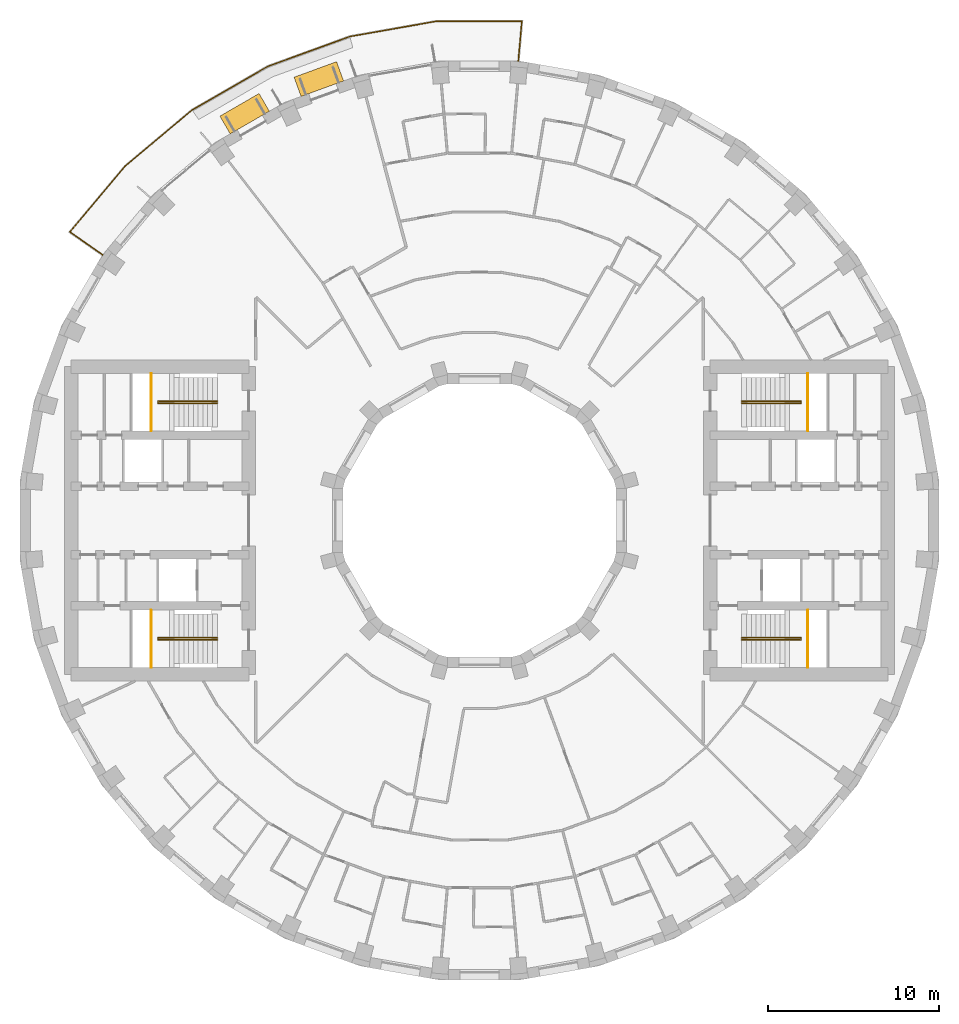
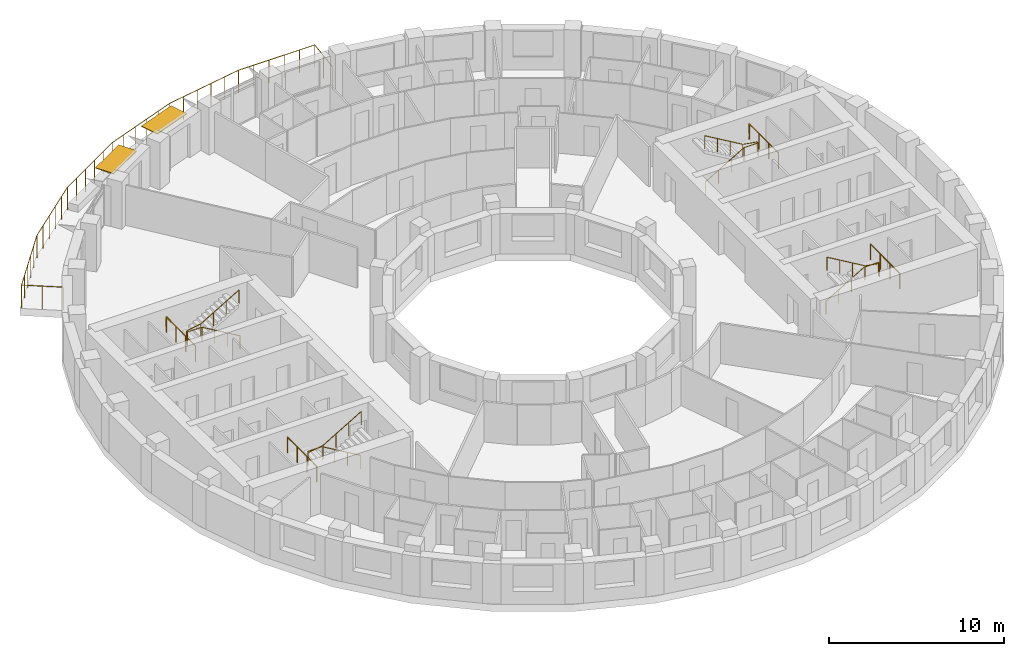
# One storey, part 14 of 14: 9 railings, 2 shading devices.
"""IFC4 building model written with IfcOpenShell, lengths in metres."""

from ifc_helpers import new_model, si_unit, direction, frame, origin, origin_2d, place, context, subcontext, project, spatial, rectangle, circle, extrude, material, layer, layer_set, type_object, element, save


model = new_model("IFC4")

# Units and contexts
model_context = context("Model", 3, precision=1e-05, world=origin(), true_north=direction((0.0, 1.0)))
body_context = subcontext(model_context, "Body", "Model", "MODEL_VIEW")
ifc_project = project(units=[si_unit("LENGTHUNIT", "METRE"), si_unit("AREAUNIT", "SQUARE_METRE"), si_unit("VOLUMEUNIT", "CUBIC_METRE"), si_unit("PLANEANGLEUNIT", "RADIAN"), si_unit("MASSUNIT", "GRAM", prefix="KILO")], contexts=[model_context])

# Site, building, storey
site_placement = place(None, origin())
site = spatial("IfcSite", under=ifc_project, at=site_placement, CompositionType="ELEMENT")
building_placement = place(site_placement, origin())
building = spatial("IfcBuilding", under=site, at=building_placement, Name="Saqina Gate Tower", CompositionType="ELEMENT")
storey_placement = place(building_placement, frame((0.0, 0.0, 91.89990234375)))
storey = spatial("IfcBuildingStorey", under=building, at=storey_placement, Name="L25", CompositionType="ELEMENT", Elevation=91.89990234375)

# Shading devices
ifc_material_1 = material(Name="Aluminium and fabric awning", Category="aluminium")
ifc_layer = layer(ifc_material_1, 0.050048828125)
ifc_layer_set = layer_set([ifc_layer], Name="AW-TERRACE")
shading_device_type = type_object("IfcShadingDeviceType", Name="AW-TERRACE", PredefinedType="AWNING", material=ifc_layer_set)
for number, where, z_axis, x_axis, name in (
    (1, (-9.404541015625, 25.839111328125, 2.52490234375), (0.0, 0.0, 1.0), (-0.939692620786, -0.342020143326, 0.0), "Terrace awning L25 facet 11"),
    (2, (-13.74853515625, 23.813232421875, 2.52490234375), (0.0, 0.0, 1.0), (-0.866025403784, -0.5, 0.0), "Terrace awning L25 facet 12"),
):
    element("IfcShadingDevice", number, at=place(storey_placement, frame(where, z_axis=z_axis, x_axis=x_axis)), inside=storey, type_object=shading_device_type, Name=name, PredefinedType="AWNING", context=body_context, shape_type="SweptSolid", body=[
        extrude(rectangle(XDim=2.647705078125, YDim=1.199951171875, at=origin_2d()), origin(), (0.0, 0.0, 1.0), 0.050048828125),
    ])

# Railings
ifc_material_2 = material(Name="Stainless steel", Category="steel")
railing_type_1 = type_object("IfcRailingType", Name="RL-TERRACE", PredefinedType="GUARDRAIL", material=ifc_material_2)
railing_1_placement = place(storey_placement, frame((2.268310546875, 26.844482421875, 0.0)))
element("IfcRailing", 3, at=railing_1_placement, inside=storey, type_object=railing_type_1, Name="Terrace guard L25", PredefinedType="GUARDRAIL", context=body_context, shape_type="SweptSolid", body=[
    extrude(circle(Radius=0.02392578125, at=origin_2d()), frame((0.0, 0.0, 1.576171875), z_axis=(0.087180896688, 0.996192497087, 0.0), x_axis=(-0.996192497087, 0.087180896688, 0.0)), (0.0, 0.0, 1.0), 2.388671875),
    extrude(circle(Radius=0.02392578125, at=origin_2d()), frame((0.208251953125, 2.379638671875, 1.576171875), z_axis=(-0.999999077512, -0.001358298931, 0.0), x_axis=(0.001358298931, -0.999999077512, 0.0)), (0.0, 0.0, 1.0), 5.03271484375),
    extrude(circle(Radius=0.02392578125, at=origin_2d()), frame((-4.824462890625, 2.372802734375, 1.576171875), z_axis=(-0.984809508757, -0.173638220049, 0.0), x_axis=(0.173638220049, -0.984809508757, 0.0)), (0.0, 0.0, 1.0), 5.1123046875),
    extrude(circle(Radius=0.02392578125, at=origin_2d()), frame((-9.859130859375, 1.485107421875, 1.576171875), z_axis=(-0.939695786518, -0.342011445423, 0.0), x_axis=(0.342011445423, -0.939695786518, 0.0)), (0.0, 0.0, 1.0), 5.112548828125),
    extrude(circle(Radius=0.02392578125, at=origin_2d()), frame((-14.663330078125, -0.263427734375, 1.576171875), z_axis=(-0.866018575041, -0.500011827544, 0.0), x_axis=(0.500011827544, -0.866018575041, 0.0)), (0.0, 0.0, 1.0), 5.1123046875),
    extrude(circle(Radius=0.02392578125, at=origin_2d()), frame((-19.090576171875, -2.819580078125, 1.576171875), z_axis=(-0.766020862158, -0.642815711334, 0.0), x_axis=(0.642815711334, -0.766020862158, 0.0)), (0.0, 0.0, 1.0), 5.112548828125),
    extrude(circle(Radius=0.02392578125, at=origin_2d()), frame((-23.0068359375, -6.10595703125, 1.576171875), z_axis=(-0.643889225098, -0.765118726606, 0.0), x_axis=(0.765118726606, -0.643889225098, 0.0)), (0.0, 0.0, 1.0), 5.03271484375),
    extrude(circle(Radius=0.02392578125, at=origin_2d()), frame((-26.247314453125, -9.95654296875, 1.576171875), z_axis=(0.819111872113, -0.573633803889, 0.0), x_axis=(0.573633803889, 0.819111872113, 0.0)), (0.0, 0.0, 1.0), 2.388916015625),
    extrude(circle(Radius=0.02099609375, at=origin_2d()), origin(), (0.0, 0.0, 1.0), 1.552001953125),
    extrude(circle(Radius=0.02099609375, at=origin_2d()), frame((0.10400390625, 1.18994140625, 0.0)), (0.0, 0.0, 1.0), 1.552001953125),
    extrude(circle(Radius=0.02099609375, at=origin_2d()), frame((0.208251953125, 2.379638671875, 0.0)), (0.0, 0.0, 1.0), 1.552001953125),
    extrude(circle(Radius=0.02099609375, at=origin_2d()), frame((-0.79833984375, 2.378173828125, 0.0)), (0.0, 0.0, 1.0), 1.552001953125),
    extrude(circle(Radius=0.02099609375, at=origin_2d()), frame((-1.804931640625, 2.376953125, 0.0)), (0.0, 0.0, 1.0), 1.552001953125),
    extrude(circle(Radius=0.02099609375, at=origin_2d()), frame((-2.811279296875, 2.37548828125, 0.0)), (0.0, 0.0, 1.0), 1.552001953125),
    extrude(circle(Radius=0.02099609375, at=origin_2d()), frame((-3.81787109375, 2.374267578125, 0.0)), (0.0, 0.0, 1.0), 1.552001953125),
    extrude(circle(Radius=0.02099609375, at=origin_2d()), frame((-4.824462890625, 2.372802734375, 0.0)), (0.0, 0.0, 1.0), 1.552001953125),
    extrude(circle(Radius=0.02099609375, at=origin_2d()), frame((-5.831298828125, 2.1953125, 0.0)), (0.0, 0.0, 1.0), 1.552001953125),
    extrude(circle(Radius=0.02099609375, at=origin_2d()), frame((-6.83837890625, 2.017822265625, 0.0)), (0.0, 0.0, 1.0), 1.552001953125),
    extrude(circle(Radius=0.02099609375, at=origin_2d()), frame((-7.84521484375, 1.840087890625, 0.0)), (0.0, 0.0, 1.0), 1.552001953125),
    extrude(circle(Radius=0.02099609375, at=origin_2d()), frame((-8.852294921875, 1.66259765625, 0.0)), (0.0, 0.0, 1.0), 1.552001953125),
    extrude(circle(Radius=0.02099609375, at=origin_2d()), frame((-9.859130859375, 1.485107421875, 0.0)), (0.0, 0.0, 1.0), 1.552001953125),
    extrude(circle(Radius=0.02099609375, at=origin_2d()), frame((-10.820068359375, 1.135498046875, 0.0)), (0.0, 0.0, 1.0), 1.552001953125),
    extrude(circle(Radius=0.02099609375, at=origin_2d()), frame((-11.78076171875, 0.78564453125, 0.0)), (0.0, 0.0, 1.0), 1.552001953125),
    extrude(circle(Radius=0.02099609375, at=origin_2d()), frame((-12.74169921875, 0.43603515625, 0.0)), (0.0, 0.0, 1.0), 1.552001953125),
    extrude(circle(Radius=0.02099609375, at=origin_2d()), frame((-13.702392578125, 0.086181640625, 0.0)), (0.0, 0.0, 1.0), 1.552001953125),
    extrude(circle(Radius=0.02099609375, at=origin_2d()), frame((-14.663330078125, -0.263427734375, 0.0)), (0.0, 0.0, 1.0), 1.552001953125),
    extrude(circle(Radius=0.02099609375, at=origin_2d()), frame((-15.548828125, -0.774658203125, 0.0)), (0.0, 0.0, 1.0), 1.552001953125),
    extrude(circle(Radius=0.02099609375, at=origin_2d()), frame((-16.434326171875, -1.285888671875, 0.0)), (0.0, 0.0, 1.0), 1.552001953125),
    extrude(circle(Radius=0.02099609375, at=origin_2d()), frame((-17.319580078125, -1.797119140625, 0.0)), (0.0, 0.0, 1.0), 1.552001953125),
    extrude(circle(Radius=0.02099609375, at=origin_2d()), frame((-18.205078125, -2.308349609375, 0.0)), (0.0, 0.0, 1.0), 1.552001953125),
    extrude(circle(Radius=0.02099609375, at=origin_2d()), frame((-19.090576171875, -2.819580078125, 0.0)), (0.0, 0.0, 1.0), 1.552001953125),
    extrude(circle(Radius=0.02099609375, at=origin_2d()), frame((-19.873779296875, -3.476806640625, 0.0)), (0.0, 0.0, 1.0), 1.552001953125),
    extrude(circle(Radius=0.02099609375, at=origin_2d()), frame((-20.656982421875, -4.134033203125, 0.0)), (0.0, 0.0, 1.0), 1.552001953125),
    extrude(circle(Radius=0.02099609375, at=origin_2d()), frame((-21.4404296875, -4.79150390625, 0.0)), (0.0, 0.0, 1.0), 1.552001953125),
    extrude(circle(Radius=0.02099609375, at=origin_2d()), frame((-22.2236328125, -5.44873046875, 0.0)), (0.0, 0.0, 1.0), 1.552001953125),
    extrude(circle(Radius=0.02099609375, at=origin_2d()), frame((-23.0068359375, -6.10595703125, 0.0)), (0.0, 0.0, 1.0), 1.552001953125),
    extrude(circle(Radius=0.02099609375, at=origin_2d()), frame((-23.655029296875, -6.8759765625, 0.0)), (0.0, 0.0, 1.0), 1.552001953125),
    extrude(circle(Radius=0.02099609375, at=origin_2d()), frame((-24.302978515625, -7.646240234375, 0.0)), (0.0, 0.0, 1.0), 1.552001953125),
    extrude(circle(Radius=0.02099609375, at=origin_2d()), frame((-24.951171875, -8.416259765625, 0.0)), (0.0, 0.0, 1.0), 1.552001953125),
    extrude(circle(Radius=0.02099609375, at=origin_2d()), frame((-25.59912109375, -9.1865234375, 0.0)), (0.0, 0.0, 1.0), 1.552001953125),
    extrude(circle(Radius=0.02099609375, at=origin_2d()), frame((-26.247314453125, -9.95654296875, 0.0)), (0.0, 0.0, 1.0), 1.552001953125),
    extrude(circle(Radius=0.02099609375, at=origin_2d()), frame((-25.26904296875, -10.6416015625, 0.0)), (0.0, 0.0, 1.0), 1.552001953125),
    extrude(circle(Radius=0.02099609375, at=origin_2d()), frame((-24.29052734375, -11.326904296875, 0.0)), (0.0, 0.0, 1.0), 1.552001953125),
])
ifc_material_3 = material(Name="Stainless steel", Category="steel")
railing_type_2 = type_object("IfcRailingType", Name="STAIR GUARD", PredefinedType="GUARDRAIL", material=ifc_material_3)
railing_2_placement = place(storey_placement, frame((19.219970703125, 5.25, 1.650146484375)))
element("IfcRailing", 4, at=railing_2_placement, inside=storey, type_object=railing_type_2, Name="STAIR GUARD", PredefinedType="GUARDRAIL", context=body_context, shape_type="SweptSolid", body=[
    extrude(circle(Radius=0.02392578125, at=origin_2d()), frame((0.0, 0.0, 1.076171875), z_axis=(0.0, 1.0, 0.0), x_axis=(-1.0, 0.0, 0.0)), (0.0, 0.0, 1.0), 3.35009765625),
    extrude(circle(Radius=0.02099609375, at=origin_2d()), origin(), (0.0, 0.0, 1.0), 1.052001953125),
    extrude(circle(Radius=0.02099609375, at=origin_2d()), frame((0.0, 1.11669921875, 0.0)), (0.0, 0.0, 1.0), 1.052001953125),
    extrude(circle(Radius=0.02099609375, at=origin_2d()), frame((0.0, 2.2333984375, 0.0)), (0.0, 0.0, 1.0), 1.052001953125),
    extrude(circle(Radius=0.02099609375, at=origin_2d()), frame((0.0, 3.35009765625, 0.0)), (0.0, 0.0, 1.0), 1.052001953125),
])
railing_3_placement = place(storey_placement, frame((19.219970703125, -5.25, 1.650146484375)))
element("IfcRailing", 5, at=railing_3_placement, inside=storey, type_object=railing_type_2, Name="STAIR GUARD", PredefinedType="GUARDRAIL", context=body_context, shape_type="SweptSolid", body=[
    extrude(circle(Radius=0.02392578125, at=origin_2d()), frame((0.0, 0.0, 1.076171875), z_axis=(0.0, -1.0, 0.0), x_axis=(1.0, 0.0, 0.0)), (0.0, 0.0, 1.0), 3.35009765625),
    extrude(circle(Radius=0.02099609375, at=origin_2d()), origin(), (0.0, 0.0, 1.0), 1.052001953125),
    extrude(circle(Radius=0.02099609375, at=origin_2d()), frame((0.0, -1.11669921875, 0.0)), (0.0, 0.0, 1.0), 1.052001953125),
    extrude(circle(Radius=0.02099609375, at=origin_2d()), frame((0.0, -2.2333984375, 0.0)), (0.0, 0.0, 1.0), 1.052001953125),
    extrude(circle(Radius=0.02099609375, at=origin_2d()), frame((0.0, -3.35009765625, 0.0)), (0.0, 0.0, 1.0), 1.052001953125),
])
railing_4_placement = place(storey_placement, frame((-19.219970703125, 5.25, 1.650146484375)))
element("IfcRailing", 6, at=railing_4_placement, inside=storey, type_object=railing_type_2, Name="STAIR GUARD", PredefinedType="GUARDRAIL", context=body_context, shape_type="SweptSolid", body=[
    extrude(circle(Radius=0.02392578125, at=origin_2d()), frame((0.0, 0.0, 1.076171875), z_axis=(0.0, 1.0, 0.0), x_axis=(-1.0, 0.0, 0.0)), (0.0, 0.0, 1.0), 3.35009765625),
    extrude(circle(Radius=0.02099609375, at=origin_2d()), origin(), (0.0, 0.0, 1.0), 1.052001953125),
    extrude(circle(Radius=0.02099609375, at=origin_2d()), frame((0.0, 1.11669921875, 0.0)), (0.0, 0.0, 1.0), 1.052001953125),
    extrude(circle(Radius=0.02099609375, at=origin_2d()), frame((0.0, 2.2333984375, 0.0)), (0.0, 0.0, 1.0), 1.052001953125),
    extrude(circle(Radius=0.02099609375, at=origin_2d()), frame((0.0, 3.35009765625, 0.0)), (0.0, 0.0, 1.0), 1.052001953125),
])
railing_5_placement = place(storey_placement, frame((-19.219970703125, -5.25, 1.650146484375)))
element("IfcRailing", 7, at=railing_5_placement, inside=storey, type_object=railing_type_2, Name="STAIR GUARD", PredefinedType="GUARDRAIL", context=body_context, shape_type="SweptSolid", body=[
    extrude(circle(Radius=0.02392578125, at=origin_2d()), frame((0.0, 0.0, 1.076171875), z_axis=(0.0, -1.0, 0.0), x_axis=(1.0, 0.0, 0.0)), (0.0, 0.0, 1.0), 3.35009765625),
    extrude(circle(Radius=0.02099609375, at=origin_2d()), origin(), (0.0, 0.0, 1.0), 1.052001953125),
    extrude(circle(Radius=0.02099609375, at=origin_2d()), frame((0.0, -1.11669921875, 0.0)), (0.0, 0.0, 1.0), 1.052001953125),
    extrude(circle(Radius=0.02099609375, at=origin_2d()), frame((0.0, -2.2333984375, 0.0)), (0.0, 0.0, 1.0), 1.052001953125),
    extrude(circle(Radius=0.02099609375, at=origin_2d()), frame((0.0, -3.35009765625, 0.0)), (0.0, 0.0, 1.0), 1.052001953125),
])
ifc_material_4 = material(Name="Stainless steel", Category="steel")
railing_type_3 = type_object("IfcRailingType", Name="STAIR HANDRAIL", PredefinedType="HANDRAIL", material=ifc_material_4)
railing_6_placement = place(storey_placement, frame((15.35009765625, 6.86669921875, 0.1650390625)))
element("IfcRailing", 8, at=railing_6_placement, inside=storey, type_object=railing_type_3, Name="EXIT STAIR 1 HANDRAIL", PredefinedType="HANDRAIL", context=body_context, shape_type="SweptSolid", body=[
    extrude(circle(Radius=0.02392578125, at=origin_2d()), frame((0.0, 0.0, 0.92578125), z_axis=(0.86152411907, 0.0, 0.507716645641), x_axis=(0.0, 1.0, 0.0)), (0.0, 0.0, 1.0), 2.925048828125),
    extrude(circle(Radius=0.02392578125, at=origin_2d()), frame((2.52001953125, 0.0, 2.4111328125), z_axis=(1.0, 0.0, 0.0), x_axis=(0.0, 1.0, 0.0)), (0.0, 0.0, 1.0), 0.949951171875),
    extrude(circle(Radius=0.02392578125, at=origin_2d()), frame((3.469970703125, 0.0, 2.4111328125), z_axis=(0.0, 1.0, 0.0), x_axis=(-1.0, 0.0, 0.0)), (0.0, 0.0, 1.0), 0.11669921875),
    extrude(circle(Radius=0.02392578125, at=origin_2d()), frame((3.469970703125, 0.11669921875, 2.4111328125), z_axis=(-0.985241474778, 0.0, 0.171170197109), x_axis=(0.0, -1.0, 0.0)), (0.0, 0.0, 1.0), 0.964111328125),
    extrude(circle(Radius=0.02392578125, at=origin_2d()), frame((2.52001953125, 0.11669921875, 2.576171875), z_axis=(-0.861560626758, 0.0, 0.507654692109), x_axis=(0.0, -1.0, 0.0)), (0.0, 0.0, 1.0), 2.925048828125),
    extrude(circle(Radius=0.02099609375, at=origin_2d()), origin(), (0.0, 0.0, 1.0), 0.90185546875),
    extrude(circle(Radius=0.02099609375, at=origin_2d()), frame((0.840087890625, 0.0, 0.4951171875)), (0.0, 0.0, 1.0), 0.90185546875),
    extrude(circle(Radius=0.02099609375, at=origin_2d()), frame((1.679931640625, 0.0, 0.989990234375)), (0.0, 0.0, 1.0), 0.90185546875),
    extrude(circle(Radius=0.02099609375, at=origin_2d()), frame((2.52001953125, 0.0, 1.485107421875)), (0.0, 0.0, 1.0), 0.90185546875),
    extrude(circle(Radius=0.02099609375, at=origin_2d()), frame((3.469970703125, 0.0, 1.485107421875)), (0.0, 0.0, 1.0), 0.90185546875),
    extrude(circle(Radius=0.02099609375, at=origin_2d()), frame((3.469970703125, 0.11669921875, 1.485107421875)), (0.0, 0.0, 1.0), 0.90185546875),
    extrude(circle(Radius=0.02099609375, at=origin_2d()), frame((2.52001953125, 0.11669921875, 1.650146484375)), (0.0, 0.0, 1.0), 0.90185546875),
    extrude(circle(Radius=0.02099609375, at=origin_2d()), frame((1.679931640625, 0.11669921875, 2.14501953125)), (0.0, 0.0, 1.0), 0.90185546875),
    extrude(circle(Radius=0.02099609375, at=origin_2d()), frame((0.840087890625, 0.11669921875, 2.64013671875)), (0.0, 0.0, 1.0), 0.90185546875),
    extrude(circle(Radius=0.02099609375, at=origin_2d()), frame((0.0, 0.11669921875, 3.135009765625)), (0.0, 0.0, 1.0), 0.90185546875),
])
railing_7_placement = place(storey_placement, frame((15.35009765625, -6.86669921875, 0.1650390625)))
element("IfcRailing", 9, at=railing_7_placement, inside=storey, type_object=railing_type_3, Name="EXIT STAIR 2 HANDRAIL", PredefinedType="HANDRAIL", context=body_context, shape_type="SweptSolid", body=[
    extrude(circle(Radius=0.02392578125, at=origin_2d()), frame((0.0, 0.0, 0.92578125), z_axis=(0.86152411907, 0.0, 0.507716645641), x_axis=(0.0, 1.0, 0.0)), (0.0, 0.0, 1.0), 2.925048828125),
    extrude(circle(Radius=0.02392578125, at=origin_2d()), frame((2.52001953125, 0.0, 2.4111328125), z_axis=(1.0, 0.0, 0.0), x_axis=(0.0, 1.0, 0.0)), (0.0, 0.0, 1.0), 0.949951171875),
    extrude(circle(Radius=0.02392578125, at=origin_2d()), frame((3.469970703125, 0.0, 2.4111328125), z_axis=(0.0, -1.0, 0.0), x_axis=(1.0, 0.0, 0.0)), (0.0, 0.0, 1.0), 0.11669921875),
    extrude(circle(Radius=0.02392578125, at=origin_2d()), frame((3.469970703125, -0.11669921875, 2.4111328125), z_axis=(-0.985241474778, 0.0, 0.171170197109), x_axis=(0.0, -1.0, 0.0)), (0.0, 0.0, 1.0), 0.964111328125),
    extrude(circle(Radius=0.02392578125, at=origin_2d()), frame((2.52001953125, -0.11669921875, 2.576171875), z_axis=(-0.861560626758, 0.0, 0.507654692109), x_axis=(0.0, -1.0, 0.0)), (0.0, 0.0, 1.0), 2.925048828125),
    extrude(circle(Radius=0.02099609375, at=origin_2d()), origin(), (0.0, 0.0, 1.0), 0.90185546875),
    extrude(circle(Radius=0.02099609375, at=origin_2d()), frame((0.840087890625, 0.0, 0.4951171875)), (0.0, 0.0, 1.0), 0.90185546875),
    extrude(circle(Radius=0.02099609375, at=origin_2d()), frame((1.679931640625, 0.0, 0.989990234375)), (0.0, 0.0, 1.0), 0.90185546875),
    extrude(circle(Radius=0.02099609375, at=origin_2d()), frame((2.52001953125, 0.0, 1.485107421875)), (0.0, 0.0, 1.0), 0.90185546875),
    extrude(circle(Radius=0.02099609375, at=origin_2d()), frame((3.469970703125, 0.0, 1.485107421875)), (0.0, 0.0, 1.0), 0.90185546875),
    extrude(circle(Radius=0.02099609375, at=origin_2d()), frame((3.469970703125, -0.11669921875, 1.485107421875)), (0.0, 0.0, 1.0), 0.90185546875),
    extrude(circle(Radius=0.02099609375, at=origin_2d()), frame((2.52001953125, -0.11669921875, 1.650146484375)), (0.0, 0.0, 1.0), 0.90185546875),
    extrude(circle(Radius=0.02099609375, at=origin_2d()), frame((1.679931640625, -0.11669921875, 2.14501953125)), (0.0, 0.0, 1.0), 0.90185546875),
    extrude(circle(Radius=0.02099609375, at=origin_2d()), frame((0.840087890625, -0.11669921875, 2.64013671875)), (0.0, 0.0, 1.0), 0.90185546875),
    extrude(circle(Radius=0.02099609375, at=origin_2d()), frame((0.0, -0.11669921875, 3.135009765625)), (0.0, 0.0, 1.0), 0.90185546875),
])
railing_8_placement = place(storey_placement, frame((-15.35009765625, 6.86669921875, 0.1650390625)))
element("IfcRailing", 10, at=railing_8_placement, inside=storey, type_object=railing_type_3, Name="EXIT STAIR 3 HANDRAIL", PredefinedType="HANDRAIL", context=body_context, shape_type="SweptSolid", body=[
    extrude(circle(Radius=0.02392578125, at=origin_2d()), frame((0.0, 0.0, 0.92578125), z_axis=(-0.86152411907, 0.0, 0.507716645641), x_axis=(0.0, -1.0, 0.0)), (0.0, 0.0, 1.0), 2.925048828125),
    extrude(circle(Radius=0.02392578125, at=origin_2d()), frame((-2.52001953125, 0.0, 2.4111328125), z_axis=(-1.0, 0.0, 0.0), x_axis=(0.0, -1.0, 0.0)), (0.0, 0.0, 1.0), 0.949951171875),
    extrude(circle(Radius=0.02392578125, at=origin_2d()), frame((-3.469970703125, 0.0, 2.4111328125), z_axis=(0.0, 1.0, 0.0), x_axis=(-1.0, 0.0, 0.0)), (0.0, 0.0, 1.0), 0.11669921875),
    extrude(circle(Radius=0.02392578125, at=origin_2d()), frame((-3.469970703125, 0.11669921875, 2.4111328125), z_axis=(0.985241474778, 0.0, 0.171170197109), x_axis=(0.0, 1.0, 0.0)), (0.0, 0.0, 1.0), 0.964111328125),
    extrude(circle(Radius=0.02392578125, at=origin_2d()), frame((-2.52001953125, 0.11669921875, 2.576171875), z_axis=(0.861560626758, 0.0, 0.507654692109), x_axis=(0.0, 1.0, 0.0)), (0.0, 0.0, 1.0), 2.925048828125),
    extrude(circle(Radius=0.02099609375, at=origin_2d()), origin(), (0.0, 0.0, 1.0), 0.90185546875),
    extrude(circle(Radius=0.02099609375, at=origin_2d()), frame((-0.840087890625, 0.0, 0.4951171875)), (0.0, 0.0, 1.0), 0.90185546875),
    extrude(circle(Radius=0.02099609375, at=origin_2d()), frame((-1.679931640625, 0.0, 0.989990234375)), (0.0, 0.0, 1.0), 0.90185546875),
    extrude(circle(Radius=0.02099609375, at=origin_2d()), frame((-2.52001953125, 0.0, 1.485107421875)), (0.0, 0.0, 1.0), 0.90185546875),
    extrude(circle(Radius=0.02099609375, at=origin_2d()), frame((-3.469970703125, 0.0, 1.485107421875)), (0.0, 0.0, 1.0), 0.90185546875),
    extrude(circle(Radius=0.02099609375, at=origin_2d()), frame((-3.469970703125, 0.11669921875, 1.485107421875)), (0.0, 0.0, 1.0), 0.90185546875),
    extrude(circle(Radius=0.02099609375, at=origin_2d()), frame((-2.52001953125, 0.11669921875, 1.650146484375)), (0.0, 0.0, 1.0), 0.90185546875),
    extrude(circle(Radius=0.02099609375, at=origin_2d()), frame((-1.679931640625, 0.11669921875, 2.14501953125)), (0.0, 0.0, 1.0), 0.90185546875),
    extrude(circle(Radius=0.02099609375, at=origin_2d()), frame((-0.840087890625, 0.11669921875, 2.64013671875)), (0.0, 0.0, 1.0), 0.90185546875),
    extrude(circle(Radius=0.02099609375, at=origin_2d()), frame((0.0, 0.11669921875, 3.135009765625)), (0.0, 0.0, 1.0), 0.90185546875),
])
railing_9_placement = place(storey_placement, frame((-15.35009765625, -6.86669921875, 0.1650390625)))
element("IfcRailing", 11, at=railing_9_placement, inside=storey, type_object=railing_type_3, Name="EXIT STAIR 4 HANDRAIL", PredefinedType="HANDRAIL", context=body_context, shape_type="SweptSolid", body=[
    extrude(circle(Radius=0.02392578125, at=origin_2d()), frame((0.0, 0.0, 0.92578125), z_axis=(-0.86152411907, 0.0, 0.507716645641), x_axis=(0.0, -1.0, 0.0)), (0.0, 0.0, 1.0), 2.925048828125),
    extrude(circle(Radius=0.02392578125, at=origin_2d()), frame((-2.52001953125, 0.0, 2.4111328125), z_axis=(-1.0, 0.0, 0.0), x_axis=(0.0, -1.0, 0.0)), (0.0, 0.0, 1.0), 0.949951171875),
    extrude(circle(Radius=0.02392578125, at=origin_2d()), frame((-3.469970703125, 0.0, 2.4111328125), z_axis=(0.0, -1.0, 0.0), x_axis=(1.0, 0.0, 0.0)), (0.0, 0.0, 1.0), 0.11669921875),
    extrude(circle(Radius=0.02392578125, at=origin_2d()), frame((-3.469970703125, -0.11669921875, 2.4111328125), z_axis=(0.985241474778, 0.0, 0.171170197109), x_axis=(0.0, 1.0, 0.0)), (0.0, 0.0, 1.0), 0.964111328125),
    extrude(circle(Radius=0.02392578125, at=origin_2d()), frame((-2.52001953125, -0.11669921875, 2.576171875), z_axis=(0.861560626758, 0.0, 0.507654692109), x_axis=(0.0, 1.0, 0.0)), (0.0, 0.0, 1.0), 2.925048828125),
    extrude(circle(Radius=0.02099609375, at=origin_2d()), origin(), (0.0, 0.0, 1.0), 0.90185546875),
    extrude(circle(Radius=0.02099609375, at=origin_2d()), frame((-0.840087890625, 0.0, 0.4951171875)), (0.0, 0.0, 1.0), 0.90185546875),
    extrude(circle(Radius=0.02099609375, at=origin_2d()), frame((-1.679931640625, 0.0, 0.989990234375)), (0.0, 0.0, 1.0), 0.90185546875),
    extrude(circle(Radius=0.02099609375, at=origin_2d()), frame((-2.52001953125, 0.0, 1.485107421875)), (0.0, 0.0, 1.0), 0.90185546875),
    extrude(circle(Radius=0.02099609375, at=origin_2d()), frame((-3.469970703125, 0.0, 1.485107421875)), (0.0, 0.0, 1.0), 0.90185546875),
    extrude(circle(Radius=0.02099609375, at=origin_2d()), frame((-3.469970703125, -0.11669921875, 1.485107421875)), (0.0, 0.0, 1.0), 0.90185546875),
    extrude(circle(Radius=0.02099609375, at=origin_2d()), frame((-2.52001953125, -0.11669921875, 1.650146484375)), (0.0, 0.0, 1.0), 0.90185546875),
    extrude(circle(Radius=0.02099609375, at=origin_2d()), frame((-1.679931640625, -0.11669921875, 2.14501953125)), (0.0, 0.0, 1.0), 0.90185546875),
    extrude(circle(Radius=0.02099609375, at=origin_2d()), frame((-0.840087890625, -0.11669921875, 2.64013671875)), (0.0, 0.0, 1.0), 0.90185546875),
    extrude(circle(Radius=0.02099609375, at=origin_2d()), frame((0.0, -0.11669921875, 3.135009765625)), (0.0, 0.0, 1.0), 0.90185546875),
])

save(model, "model.ifc")
